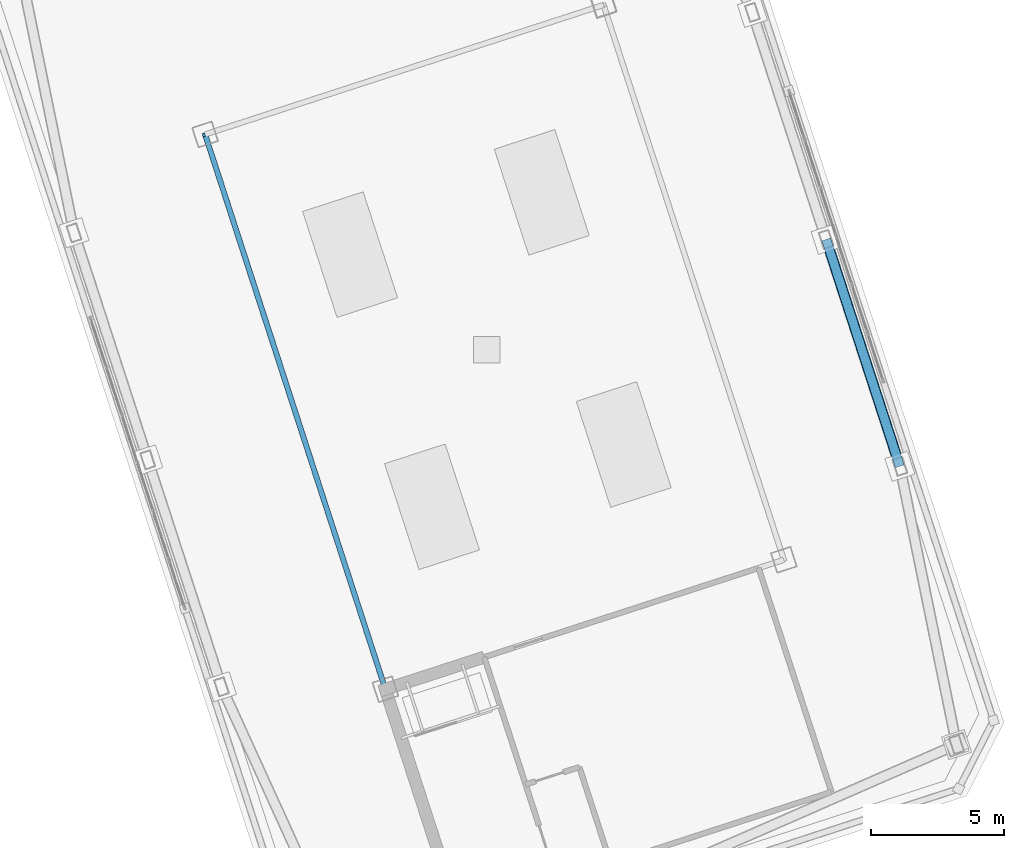
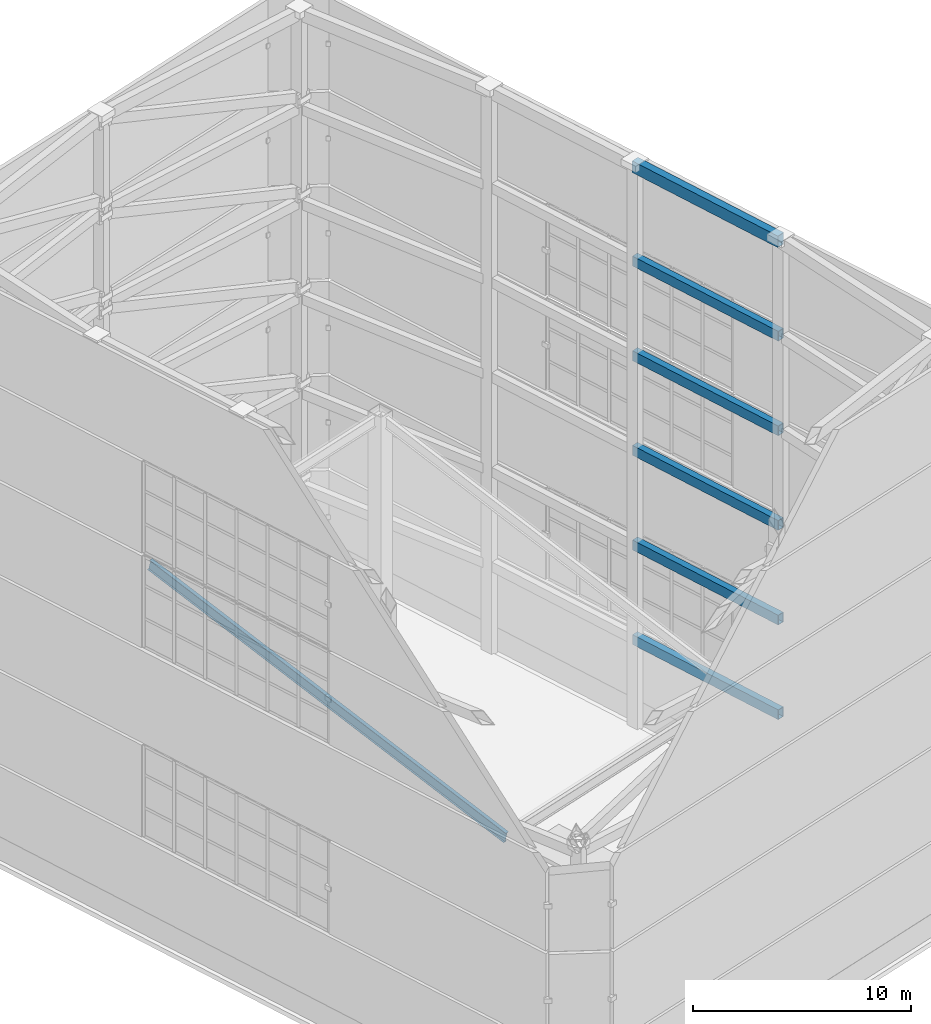
# One storey, part 24 of 56: 7 beams.
"""IFC4 building model written with IfcOpenShell, lengths in metres."""

from ifc_helpers import new_model, si_unit, direction, frame, origin, origin_2d, place, context, subcontext, project, spatial, hollow_rectangle, i_section, extrude, material, material_profile, profile_set, type_object, element, save


model = new_model("IFC4")

# Units and contexts
model_context = context("Model", 3, precision=1e-05, world=origin(), true_north=direction((0.0, 1.0)))
body_context = subcontext(model_context, "Body", "Model", "MODEL_VIEW")
ifc_project = project(units=[si_unit("LENGTHUNIT", "METRE"), si_unit("AREAUNIT", "SQUARE_METRE"), si_unit("VOLUMEUNIT", "CUBIC_METRE"), si_unit("PLANEANGLEUNIT", "RADIAN"), si_unit("MASSUNIT", "GRAM", prefix="KILO")], contexts=[model_context])

# Site, building, storey
site_placement = place(None, origin())
site = spatial("IfcSite", under=ifc_project, at=site_placement, CompositionType="ELEMENT")
building_placement = place(site_placement, origin())
building = spatial("IfcBuilding", under=site, at=building_placement, Name="Qiaolan Cultural Towers", CompositionType="ELEMENT")
storey_placement = place(building_placement, frame((0.0, 0.0, 250.39990234375)))
storey = spatial("IfcBuildingStorey", under=building, at=storey_placement, Name="L68", CompositionType="ELEMENT", Elevation=250.39990234375)

# Beams
ifc_material_1 = material(Name="Steel Q355B", Category="steel")
ifc_material_profile_1 = material_profile(ifc_material_1, hollow_rectangle(XDim=0.39990234375, YDim=0.64990234375, WallThickness=0.02001953125, at=origin_2d()), Name="BOX650x400x20")
ifc_profile_set_1 = profile_set([ifc_material_profile_1], Name="Steel Q355B")
beam_type_1 = type_object("IfcBeamType", Name="BM-CROWN-FRAME-1", PredefinedType="BEAM", material=ifc_profile_set_1)
beam_1_placement = place(storey_placement, frame((105.57275390625, 29.5966796875, 31.47509765625), z_axis=(-0.309000197986, 0.951061973609, 0.0), x_axis=(-0.951061973609, -0.309000197986, 0.0)))
element("IfcBeam", 1, at=beam_1_placement, inside=storey, type_object=beam_type_1, Name="T2 Crown Frame Top Cap Ring Beam T6-5", PredefinedType="BEAM", context=body_context, shape_type="SweptSolid", body=[
    extrude(hollow_rectangle(XDim=0.39990234375, YDim=0.64990234375, WallThickness=0.02001953125, at=origin_2d()), origin(), (0.0, 0.0, 1.0), 9.0),
])
ifc_material_2 = material(Name="Steel Q355B", Category="steel")
ifc_material_profile_2 = material_profile(ifc_material_2, hollow_rectangle(XDim=0.35009765625, YDim=0.550048828125, WallThickness=0.01806640625, at=origin_2d()), Name="BOX550x350x18")
ifc_profile_set_2 = profile_set([ifc_material_profile_2], Name="Steel Q355B")
beam_type_2 = type_object("IfcBeamType", Name="BM-CROWN-FRAME-2", PredefinedType="BEAM", material=ifc_profile_set_2)
for number, where, z_axis, x_axis, name in (
    (2, (105.57275390625, 29.5966796875, 4.97509765625), (-0.309000197986, 0.951061973609, 0.0), (-0.951061973609, -0.309000197986, 0.0), "T2 Crown Frame Ring Beam T1-5"),
    (3, (105.57275390625, 29.5966796875, 10.275146484375), (-0.309000197986, 0.951061973609, 0.0), (-0.951061973609, -0.309000197986, 0.0), "T2 Crown Frame Ring Beam T2-5"),
    (4, (105.57275390625, 29.5966796875, 15.5751953125), (-0.309000197986, 0.951061973609, 0.0), (-0.951061973609, -0.309000197986, 0.0), "T2 Crown Frame Ring Beam T3-5"),
    (5, (105.57275390625, 29.5966796875, 20.875), (-0.309000197986, 0.951061973609, 0.0), (-0.951061973609, -0.309000197986, 0.0), "T2 Crown Frame Ring Beam T4-5"),
    (6, (105.57275390625, 29.5966796875, 26.175048828125), (-0.309000197986, 0.951061973609, 0.0), (-0.951061973609, -0.309000197986, 0.0), "T2 Crown Frame Ring Beam T5-5"),
):
    element("IfcBeam", number, at=place(storey_placement, frame(where, z_axis=z_axis, x_axis=x_axis)), inside=storey, type_object=beam_type_2, Name=name, PredefinedType="BEAM", context=body_context, shape_type="SweptSolid", body=[
        extrude(hollow_rectangle(XDim=0.35009765625, YDim=0.550048828125, WallThickness=0.01806640625, at=origin_2d()), origin(), (0.0, 0.0, 1.0), 9.0),
    ])
ifc_material_3 = material(Name="Steel Q355B", Category="steel")
ifc_material_profile_3 = material_profile(ifc_material_3, i_section(OverallWidth=0.199951171875, OverallDepth=0.60009765625, WebThickness=0.010986328125, FlangeThickness=0.01708984375, at=origin_2d()), Name="HN600x200x11x17")
ifc_profile_set_3 = profile_set([ifc_material_profile_3], Name="Steel Q355B")
beam_type_3 = type_object("IfcBeamType", Name="BM-SPD-HN600x200x11x17", PredefinedType="SPANDREL", material=ifc_profile_set_3)
beam_2_placement = place(storey_placement, frame((86.171142578125, 21.18994140625, 9.920166015625), z_axis=(-0.301333081692, 0.927405962584, 0.221622549489), x_axis=(-0.951056330024, -0.309017567658, 0.0)))
element("IfcBeam", 7, at=beam_2_placement, inside=storey, type_object=beam_type_3, Name="T2 Sloped Plant Roof Edge Rafter 3", PredefinedType="SPANDREL", context=body_context, shape_type="SweptSolid", body=[
    extrude(i_section(OverallWidth=0.199951171875, OverallDepth=0.60009765625, WebThickness=0.010986328125, FlangeThickness=0.01708984375, at=origin_2d()), origin(), (0.0, 0.0, 1.0), 22.560791015625),
])

save(model, "model.ifc")
